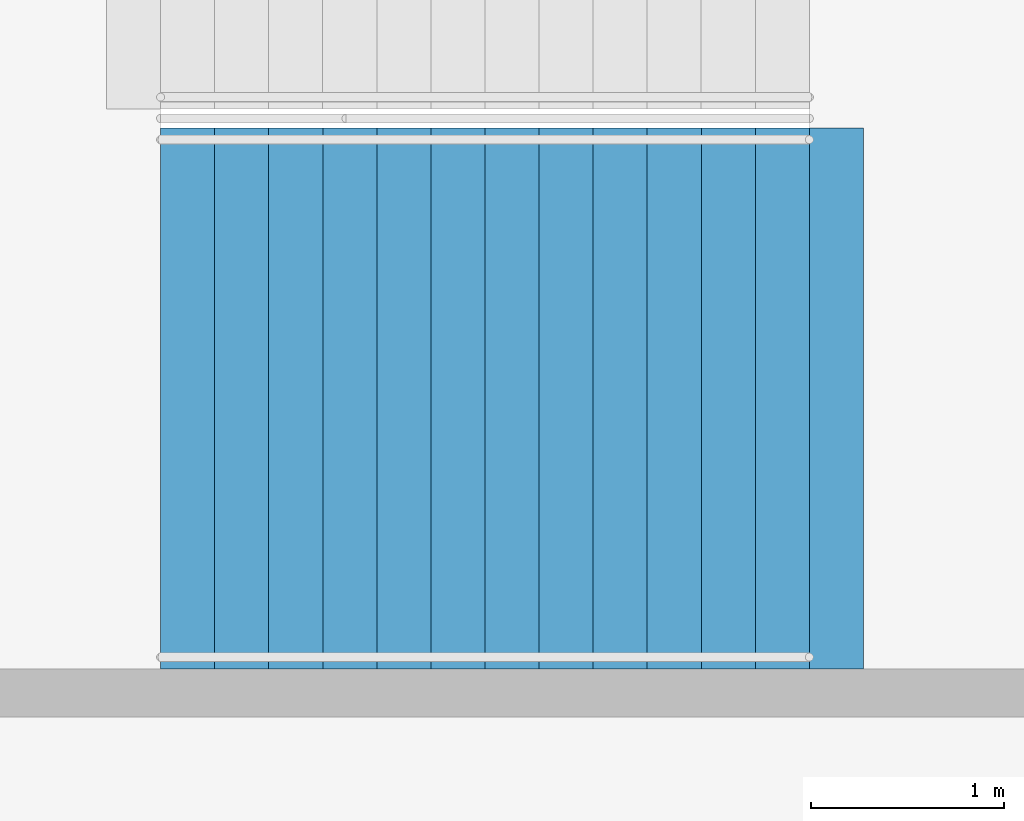
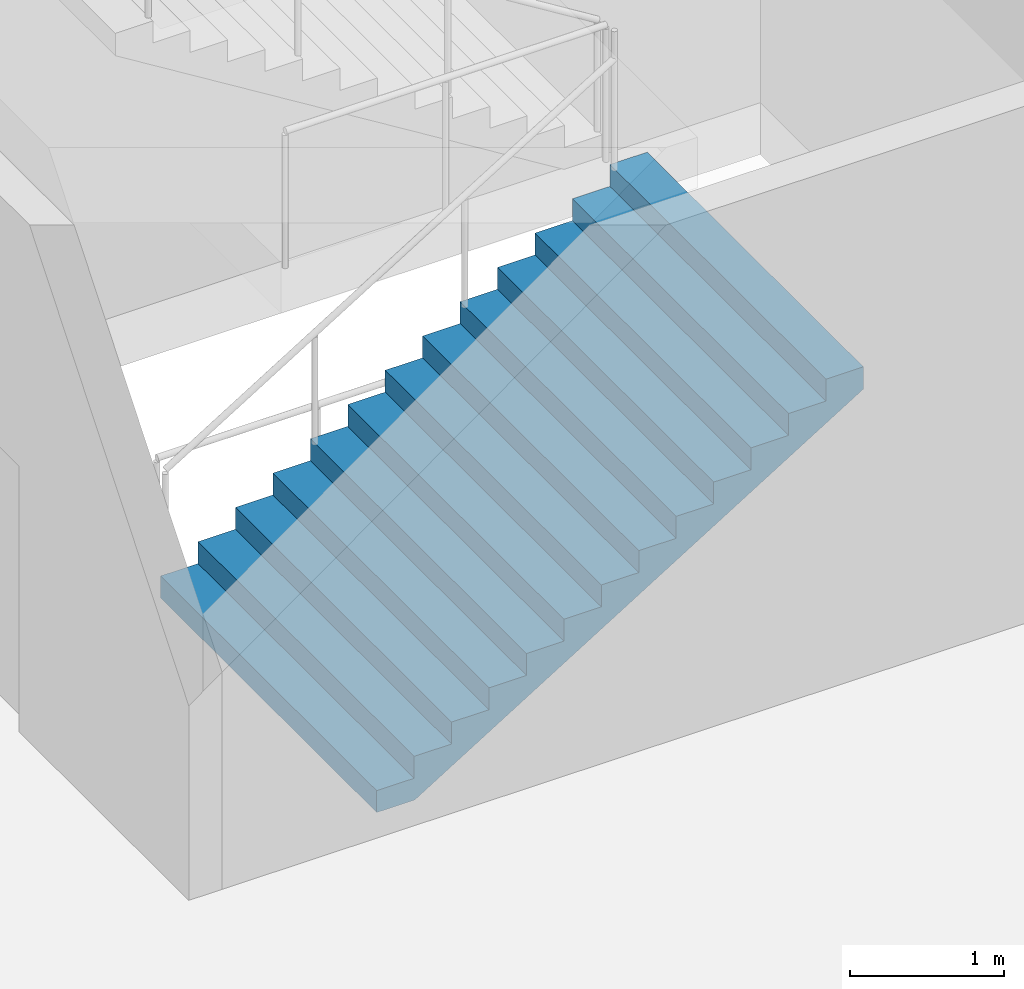
# One storey, part 142 of 199: 1 stair flight, 1 element without a shape of its own.
"""IFC4 building model written with IfcOpenShell, lengths in metres."""

from ifc_helpers import new_model, si_unit, direction, frame, origin, place, context, subcontext, project, spatial, faceted_brep, material, type_object, element, aggregate, save


model = new_model("IFC4")

# Units and contexts
model_context = context("Model", 3, precision=1e-05, world=origin(), true_north=direction((0.0, 1.0)))
body_context = subcontext(model_context, "Body", "Model", "MODEL_VIEW")
ifc_project = project(units=[si_unit("LENGTHUNIT", "METRE"), si_unit("AREAUNIT", "SQUARE_METRE"), si_unit("VOLUMEUNIT", "CUBIC_METRE"), si_unit("PLANEANGLEUNIT", "RADIAN"), si_unit("MASSUNIT", "GRAM", prefix="KILO")], contexts=[model_context])

# Site, building, storey
site_placement = place(None, origin())
site = spatial("IfcSite", under=ifc_project, at=site_placement, CompositionType="ELEMENT")
building_placement = place(site_placement, origin())
building = spatial("IfcBuilding", under=site, at=building_placement, Name="Ogive Plaza Stadium", CompositionType="ELEMENT")
storey_placement = place(building_placement, frame((0.0, 0.0, 9.0)))
storey = spatial("IfcBuildingStorey", under=building, at=storey_placement, Name="L02", CompositionType="ELEMENT", Elevation=9.0)

# Stair, stair flight
ifc_material_1 = material(Name="Concrete C40/50", Category="concrete")
stair_type = type_object("IfcStairType", Name="Exit stair", PredefinedType="STRAIGHT_RUN_STAIR", material=ifc_material_1)
stair_placement = place(storey_placement, origin())
stair = element("IfcStair", 1, at=stair_placement, inside=storey, type_object=stair_type, Name="Exit stair ST06A L02 to L03", PredefinedType="STRAIGHT_RUN_STAIR")
ifc_material_2 = material(Name="Concrete C40/50", Category="concrete")
stair_flight_type = type_object("IfcStairFlightType", Name="Exit stair flight", PredefinedType="STRAIGHT", material=ifc_material_2)
stair_flight_placement = place(storey_placement, frame((76.35009765625, -26.925048828125, 0.0), z_axis=(0.0, 0.0, 1.0), x_axis=(1.0, 0.0, 0.0)))
stair_flight = element("IfcStairFlight", 2, at=stair_flight_placement, type_object=stair_flight_type, Name="ST06A flight 1", NumberOfRisers=13, NumberOfTreads=12, PredefinedType="STRAIGHT", RiserHeight=0.173076923, TreadLength=0.28, context=body_context, shape_type="Brep", body=[
    faceted_brep([(0.28515625, -1.39990234375, 0.0), (3.639892578125, -1.39990234375, 2.07373046875), (3.639892578125, -1.39990234375, 2.25), (3.360107421875, -1.39990234375, 2.25), (3.360107421875, -1.39990234375, 2.076904296875), (3.080078125, -1.39990234375, 2.076904296875), (3.080078125, -1.39990234375, 1.90380859375), (2.800048828125, -1.39990234375, 1.90380859375), (2.800048828125, -1.39990234375, 1.730712890625), (2.52001953125, -1.39990234375, 1.730712890625), (2.52001953125, -1.39990234375, 1.5576171875), (2.239990234375, -1.39990234375, 1.5576171875), (2.239990234375, -1.39990234375, 1.384521484375), (1.9599609375, -1.39990234375, 1.384521484375), (1.9599609375, -1.39990234375, 1.21142578125), (1.679931640625, -1.39990234375, 1.21142578125), (1.679931640625, -1.39990234375, 1.03857421875), (1.39990234375, -1.39990234375, 1.03857421875), (1.39990234375, -1.39990234375, 0.865478515625), (1.1201171875, -1.39990234375, 0.865478515625), (1.1201171875, -1.39990234375, 0.6923828125), (0.840087890625, -1.39990234375, 0.6923828125), (0.840087890625, -1.39990234375, 0.519287109375), (0.56005859375, -1.39990234375, 0.519287109375), (0.56005859375, -1.39990234375, 0.34619140625), (0.280029296875, -1.39990234375, 0.34619140625), (0.280029296875, -1.39990234375, 0.173095703125), (0.0, -1.39990234375, 0.173095703125), (0.0, -1.39990234375, 0.0), (0.0, 1.39990234375, 0.0), (0.0, 1.39990234375, 0.173095703125), (0.280029296875, 1.39990234375, 0.173095703125), (0.280029296875, 1.39990234375, 0.34619140625), (0.56005859375, 1.39990234375, 0.34619140625), (0.56005859375, 1.39990234375, 0.519287109375), (0.840087890625, 1.39990234375, 0.519287109375), (0.840087890625, 1.39990234375, 0.6923828125), (1.1201171875, 1.39990234375, 0.6923828125), (1.1201171875, 1.39990234375, 0.865478515625), (1.39990234375, 1.39990234375, 0.865478515625), (1.39990234375, 1.39990234375, 1.03857421875), (1.679931640625, 1.39990234375, 1.03857421875), (1.679931640625, 1.39990234375, 1.21142578125), (1.9599609375, 1.39990234375, 1.21142578125), (1.9599609375, 1.39990234375, 1.384521484375), (2.239990234375, 1.39990234375, 1.384521484375), (2.239990234375, 1.39990234375, 1.5576171875), (2.52001953125, 1.39990234375, 1.5576171875), (2.52001953125, 1.39990234375, 1.730712890625), (2.800048828125, 1.39990234375, 1.730712890625), (2.800048828125, 1.39990234375, 1.90380859375), (3.080078125, 1.39990234375, 1.90380859375), (3.080078125, 1.39990234375, 2.076904296875), (3.360107421875, 1.39990234375, 2.076904296875), (3.360107421875, 1.39990234375, 2.25), (3.639892578125, 1.39990234375, 2.25), (3.639892578125, 1.39990234375, 2.07373046875), (0.28515625, 1.39990234375, 0.0), (0.28515625, -1.0888671875, 0.0), (3.639892578125, -1.0888671875, 2.07373046875), (0.28515625, -0.77783203125, 0.0), (3.639892578125, -0.77783203125, 2.07373046875), (0.28515625, -0.466796875, 0.0), (3.639892578125, -0.466796875, 2.07373046875), (0.28515625, -0.155517578125, 0.0), (3.639892578125, -0.155517578125, 2.07373046875), (0.28515625, 0.155517578125, 0.0), (3.639892578125, 0.155517578125, 2.07373046875), (0.28515625, 0.466796875, 0.0), (3.639892578125, 0.466796875, 2.07373046875), (0.28515625, 0.77783203125, 0.0), (3.639892578125, 0.77783203125, 2.07373046875), (0.28515625, 1.0888671875, 0.0), (3.639892578125, 1.0888671875, 2.07373046875), (3.639892578125, -1.0888671875, 2.25), (3.639892578125, -0.77783203125, 2.25), (3.639892578125, -0.466796875, 2.25), (3.639892578125, -0.155517578125, 2.25), (3.639892578125, 0.155517578125, 2.25), (3.639892578125, 0.466796875, 2.25), (3.639892578125, 0.77783203125, 2.25), (3.639892578125, 1.0888671875, 2.25), (3.360107421875, -1.0888671875, 2.25), (3.360107421875, -0.77783203125, 2.25), (3.360107421875, -0.466796875, 2.25), (3.360107421875, -0.155517578125, 2.25), (3.360107421875, 0.155517578125, 2.25), (3.360107421875, 0.466796875, 2.25), (3.360107421875, 0.77783203125, 2.25), (3.360107421875, 1.0888671875, 2.25), (3.360107421875, -1.0888671875, 2.076904296875), (3.360107421875, -0.77783203125, 2.076904296875), (3.360107421875, -0.466796875, 2.076904296875), (3.360107421875, -0.155517578125, 2.076904296875), (3.360107421875, 0.155517578125, 2.076904296875), (3.360107421875, 0.466796875, 2.076904296875), (3.360107421875, 0.77783203125, 2.076904296875), (3.360107421875, 1.0888671875, 2.076904296875), (3.080078125, -1.0888671875, 2.076904296875), (3.080078125, -0.77783203125, 2.076904296875), (3.080078125, -0.466796875, 2.076904296875), (3.080078125, -0.155517578125, 2.076904296875), (3.080078125, 0.155517578125, 2.076904296875), (3.080078125, 0.466796875, 2.076904296875), (3.080078125, 0.77783203125, 2.076904296875), (3.080078125, 1.0888671875, 2.076904296875), (3.080078125, -1.0888671875, 1.90380859375), (3.080078125, -0.77783203125, 1.90380859375), (3.080078125, -0.466796875, 1.90380859375), (3.080078125, -0.155517578125, 1.90380859375), (3.080078125, 0.155517578125, 1.90380859375), (3.080078125, 0.466796875, 1.90380859375), (3.080078125, 0.77783203125, 1.90380859375), (3.080078125, 1.0888671875, 1.90380859375), (2.800048828125, -1.0888671875, 1.90380859375), (2.800048828125, -0.77783203125, 1.90380859375), (2.800048828125, -0.466796875, 1.90380859375), (2.800048828125, -0.155517578125, 1.90380859375), (2.800048828125, 0.155517578125, 1.90380859375), (2.800048828125, 0.466796875, 1.90380859375), (2.800048828125, 0.77783203125, 1.90380859375), (2.800048828125, 1.0888671875, 1.90380859375), (2.800048828125, -1.0888671875, 1.730712890625), (2.800048828125, -0.77783203125, 1.730712890625), (2.800048828125, -0.466796875, 1.730712890625), (2.800048828125, -0.155517578125, 1.730712890625), (2.800048828125, 0.155517578125, 1.730712890625), (2.800048828125, 0.466796875, 1.730712890625), (2.800048828125, 0.77783203125, 1.730712890625), (2.800048828125, 1.0888671875, 1.730712890625), (2.52001953125, -1.0888671875, 1.730712890625), (2.52001953125, -0.77783203125, 1.730712890625), (2.52001953125, -0.466796875, 1.730712890625), (2.52001953125, -0.155517578125, 1.730712890625), (2.52001953125, 0.155517578125, 1.730712890625), (2.52001953125, 0.466796875, 1.730712890625), (2.52001953125, 0.77783203125, 1.730712890625), (2.52001953125, 1.0888671875, 1.730712890625), (2.52001953125, -1.0888671875, 1.5576171875), (2.52001953125, -0.77783203125, 1.5576171875), (2.52001953125, -0.466796875, 1.5576171875), (2.52001953125, -0.155517578125, 1.5576171875), (2.52001953125, 0.155517578125, 1.5576171875), (2.52001953125, 0.466796875, 1.5576171875), (2.52001953125, 0.77783203125, 1.5576171875), (2.52001953125, 1.0888671875, 1.5576171875), (2.239990234375, -1.0888671875, 1.5576171875), (2.239990234375, -0.77783203125, 1.5576171875), (2.239990234375, -0.466796875, 1.5576171875), (2.239990234375, -0.155517578125, 1.5576171875), (2.239990234375, 0.155517578125, 1.5576171875), (2.239990234375, 0.466796875, 1.5576171875), (2.239990234375, 0.77783203125, 1.5576171875), (2.239990234375, 1.0888671875, 1.5576171875), (2.239990234375, -1.0888671875, 1.384521484375), (2.239990234375, -0.77783203125, 1.384521484375), (2.239990234375, -0.466796875, 1.384521484375), (2.239990234375, -0.155517578125, 1.384521484375), (2.239990234375, 0.155517578125, 1.384521484375), (2.239990234375, 0.466796875, 1.384521484375), (2.239990234375, 0.77783203125, 1.384521484375), (2.239990234375, 1.0888671875, 1.384521484375), (1.9599609375, -1.0888671875, 1.384521484375), (1.9599609375, -0.77783203125, 1.384521484375), (1.9599609375, -0.466796875, 1.384521484375), (1.9599609375, -0.155517578125, 1.384521484375), (1.9599609375, 0.155517578125, 1.384521484375), (1.9599609375, 0.466796875, 1.384521484375), (1.9599609375, 0.77783203125, 1.384521484375), (1.9599609375, 1.0888671875, 1.384521484375), (1.9599609375, -1.0888671875, 1.21142578125), (1.9599609375, -0.77783203125, 1.21142578125), (1.9599609375, -0.466796875, 1.21142578125), (1.9599609375, -0.155517578125, 1.21142578125), (1.9599609375, 0.155517578125, 1.21142578125), (1.9599609375, 0.466796875, 1.21142578125), (1.9599609375, 0.77783203125, 1.21142578125), (1.9599609375, 1.0888671875, 1.21142578125), (1.679931640625, -1.0888671875, 1.21142578125), (1.679931640625, -0.77783203125, 1.21142578125), (1.679931640625, -0.466796875, 1.21142578125), (1.679931640625, -0.155517578125, 1.21142578125), (1.679931640625, 0.155517578125, 1.21142578125), (1.679931640625, 0.466796875, 1.21142578125), (1.679931640625, 0.77783203125, 1.21142578125), (1.679931640625, 1.0888671875, 1.21142578125), (1.679931640625, -1.0888671875, 1.03857421875), (1.679931640625, -0.77783203125, 1.03857421875), (1.679931640625, -0.466796875, 1.03857421875), (1.679931640625, -0.155517578125, 1.03857421875), (1.679931640625, 0.155517578125, 1.03857421875), (1.679931640625, 0.466796875, 1.03857421875), (1.679931640625, 0.77783203125, 1.03857421875), (1.679931640625, 1.0888671875, 1.03857421875), (1.39990234375, -1.0888671875, 1.03857421875), (1.39990234375, -0.77783203125, 1.03857421875), (1.39990234375, -0.466796875, 1.03857421875), (1.39990234375, -0.155517578125, 1.03857421875), (1.39990234375, 0.155517578125, 1.03857421875), (1.39990234375, 0.466796875, 1.03857421875), (1.39990234375, 0.77783203125, 1.03857421875), (1.39990234375, 1.0888671875, 1.03857421875), (1.39990234375, -1.0888671875, 0.865478515625), (1.39990234375, -0.77783203125, 0.865478515625), (1.39990234375, -0.466796875, 0.865478515625), (1.39990234375, -0.155517578125, 0.865478515625), (1.39990234375, 0.155517578125, 0.865478515625), (1.39990234375, 0.466796875, 0.865478515625), (1.39990234375, 0.77783203125, 0.865478515625), (1.39990234375, 1.0888671875, 0.865478515625), (1.1201171875, -1.0888671875, 0.865478515625), (1.1201171875, -0.77783203125, 0.865478515625), (1.1201171875, -0.466796875, 0.865478515625), (1.1201171875, -0.155517578125, 0.865478515625), (1.1201171875, 0.155517578125, 0.865478515625), (1.1201171875, 0.466796875, 0.865478515625), (1.1201171875, 0.77783203125, 0.865478515625), (1.1201171875, 1.0888671875, 0.865478515625), (1.1201171875, -1.0888671875, 0.6923828125), (1.1201171875, -0.77783203125, 0.6923828125), (1.1201171875, -0.466796875, 0.6923828125), (1.1201171875, -0.155517578125, 0.6923828125), (1.1201171875, 0.155517578125, 0.6923828125), (1.1201171875, 0.466796875, 0.6923828125), (1.1201171875, 0.77783203125, 0.6923828125), (1.1201171875, 1.0888671875, 0.6923828125), (0.840087890625, -1.0888671875, 0.6923828125), (0.840087890625, -0.77783203125, 0.6923828125), (0.840087890625, -0.466796875, 0.6923828125), (0.840087890625, -0.155517578125, 0.6923828125), (0.840087890625, 0.155517578125, 0.6923828125), (0.840087890625, 0.466796875, 0.6923828125), (0.840087890625, 0.77783203125, 0.6923828125), (0.840087890625, 1.0888671875, 0.6923828125), (0.840087890625, -1.0888671875, 0.519287109375), (0.840087890625, -0.77783203125, 0.519287109375), (0.840087890625, -0.466796875, 0.519287109375), (0.840087890625, -0.155517578125, 0.519287109375), (0.840087890625, 0.155517578125, 0.519287109375), (0.840087890625, 0.466796875, 0.519287109375), (0.840087890625, 0.77783203125, 0.519287109375), (0.840087890625, 1.0888671875, 0.519287109375), (0.56005859375, -1.0888671875, 0.519287109375), (0.56005859375, -0.77783203125, 0.519287109375), (0.56005859375, -0.466796875, 0.519287109375), (0.56005859375, -0.155517578125, 0.519287109375), (0.56005859375, 0.155517578125, 0.519287109375), (0.56005859375, 0.466796875, 0.519287109375), (0.56005859375, 0.77783203125, 0.519287109375), (0.56005859375, 1.0888671875, 0.519287109375), (0.56005859375, -1.0888671875, 0.34619140625), (0.56005859375, -0.77783203125, 0.34619140625), (0.56005859375, -0.466796875, 0.34619140625), (0.56005859375, -0.155517578125, 0.34619140625), (0.56005859375, 0.155517578125, 0.34619140625), (0.56005859375, 0.466796875, 0.34619140625), (0.56005859375, 0.77783203125, 0.34619140625), (0.56005859375, 1.0888671875, 0.34619140625), (0.280029296875, -1.0888671875, 0.34619140625), (0.280029296875, -0.77783203125, 0.34619140625), (0.280029296875, -0.466796875, 0.34619140625), (0.280029296875, -0.155517578125, 0.34619140625), (0.280029296875, 0.155517578125, 0.34619140625), (0.280029296875, 0.466796875, 0.34619140625), (0.280029296875, 0.77783203125, 0.34619140625), (0.280029296875, 1.0888671875, 0.34619140625), (0.280029296875, -1.0888671875, 0.173095703125), (0.280029296875, -0.77783203125, 0.173095703125), (0.280029296875, -0.466796875, 0.173095703125), (0.280029296875, -0.155517578125, 0.173095703125), (0.280029296875, 0.155517578125, 0.173095703125), (0.280029296875, 0.466796875, 0.173095703125), (0.280029296875, 0.77783203125, 0.173095703125), (0.280029296875, 1.0888671875, 0.173095703125), (0.0, -1.0888671875, 0.173095703125), (0.0, -0.77783203125, 0.173095703125), (0.0, -0.466796875, 0.173095703125), (0.0, -0.155517578125, 0.173095703125), (0.0, 0.155517578125, 0.173095703125), (0.0, 0.466796875, 0.173095703125), (0.0, 0.77783203125, 0.173095703125), (0.0, 1.0888671875, 0.173095703125), (0.0, -1.0888671875, 0.0), (0.0, -0.77783203125, 0.0), (0.0, -0.466796875, 0.0), (0.0, -0.155517578125, 0.0), (0.0, 0.155517578125, 0.0), (0.0, 0.466796875, 0.0), (0.0, 0.77783203125, 0.0), (0.0, 1.0888671875, 0.0)], [[[0, 1, 2, 3, 4, 5, 6, 7, 8, 9, 10, 11, 12, 13, 14, 15, 16, 17, 18, 19, 20, 21, 22, 23, 24, 25, 26, 27, 28]], [[29, 30, 31, 32, 33, 34, 35, 36, 37, 38, 39, 40, 41, 42, 43, 44, 45, 46, 47, 48, 49, 50, 51, 52, 53, 54, 55, 56, 57]], [[0, 58, 59, 1]], [[58, 60, 61, 59]], [[60, 62, 63, 61]], [[62, 64, 65, 63]], [[64, 66, 67, 65]], [[66, 68, 69, 67]], [[68, 70, 71, 69]], [[70, 72, 73, 71]], [[72, 57, 56, 73]], [[1, 59, 74, 2]], [[59, 61, 75, 74]], [[61, 63, 76, 75]], [[63, 65, 77, 76]], [[65, 67, 78, 77]], [[67, 69, 79, 78]], [[69, 71, 80, 79]], [[71, 73, 81, 80]], [[73, 56, 55, 81]], [[2, 74, 82, 3]], [[74, 75, 83, 82]], [[75, 76, 84, 83]], [[76, 77, 85, 84]], [[77, 78, 86, 85]], [[78, 79, 87, 86]], [[79, 80, 88, 87]], [[80, 81, 89, 88]], [[81, 55, 54, 89]], [[3, 82, 90, 4]], [[82, 83, 91, 90]], [[83, 84, 92, 91]], [[84, 85, 93, 92]], [[85, 86, 94, 93]], [[86, 87, 95, 94]], [[87, 88, 96, 95]], [[88, 89, 97, 96]], [[89, 54, 53, 97]], [[4, 90, 98, 5]], [[90, 91, 99, 98]], [[91, 92, 100, 99]], [[92, 93, 101, 100]], [[93, 94, 102, 101]], [[94, 95, 103, 102]], [[95, 96, 104, 103]], [[96, 97, 105, 104]], [[97, 53, 52, 105]], [[5, 98, 106, 6]], [[98, 99, 107, 106]], [[99, 100, 108, 107]], [[100, 101, 109, 108]], [[101, 102, 110, 109]], [[102, 103, 111, 110]], [[103, 104, 112, 111]], [[104, 105, 113, 112]], [[105, 52, 51, 113]], [[6, 106, 114, 7]], [[106, 107, 115, 114]], [[107, 108, 116, 115]], [[108, 109, 117, 116]], [[109, 110, 118, 117]], [[110, 111, 119, 118]], [[111, 112, 120, 119]], [[112, 113, 121, 120]], [[113, 51, 50, 121]], [[7, 114, 122, 8]], [[114, 115, 123, 122]], [[115, 116, 124, 123]], [[116, 117, 125, 124]], [[117, 118, 126, 125]], [[118, 119, 127, 126]], [[119, 120, 128, 127]], [[120, 121, 129, 128]], [[121, 50, 49, 129]], [[8, 122, 130, 9]], [[122, 123, 131, 130]], [[123, 124, 132, 131]], [[124, 125, 133, 132]], [[125, 126, 134, 133]], [[126, 127, 135, 134]], [[127, 128, 136, 135]], [[128, 129, 137, 136]], [[129, 49, 48, 137]], [[9, 130, 138, 10]], [[130, 131, 139, 138]], [[131, 132, 140, 139]], [[132, 133, 141, 140]], [[133, 134, 142, 141]], [[134, 135, 143, 142]], [[135, 136, 144, 143]], [[136, 137, 145, 144]], [[137, 48, 47, 145]], [[10, 138, 146, 11]], [[138, 139, 147, 146]], [[139, 140, 148, 147]], [[140, 141, 149, 148]], [[141, 142, 150, 149]], [[142, 143, 151, 150]], [[143, 144, 152, 151]], [[144, 145, 153, 152]], [[145, 47, 46, 153]], [[11, 146, 154, 12]], [[146, 147, 155, 154]], [[147, 148, 156, 155]], [[148, 149, 157, 156]], [[149, 150, 158, 157]], [[150, 151, 159, 158]], [[151, 152, 160, 159]], [[152, 153, 161, 160]], [[153, 46, 45, 161]], [[12, 154, 162, 13]], [[154, 155, 163, 162]], [[155, 156, 164, 163]], [[156, 157, 165, 164]], [[157, 158, 166, 165]], [[158, 159, 167, 166]], [[159, 160, 168, 167]], [[160, 161, 169, 168]], [[161, 45, 44, 169]], [[13, 162, 170, 14]], [[162, 163, 171, 170]], [[163, 164, 172, 171]], [[164, 165, 173, 172]], [[165, 166, 174, 173]], [[166, 167, 175, 174]], [[167, 168, 176, 175]], [[168, 169, 177, 176]], [[169, 44, 43, 177]], [[14, 170, 178, 15]], [[170, 171, 179, 178]], [[171, 172, 180, 179]], [[172, 173, 181, 180]], [[173, 174, 182, 181]], [[174, 175, 183, 182]], [[175, 176, 184, 183]], [[176, 177, 185, 184]], [[177, 43, 42, 185]], [[15, 178, 186, 16]], [[178, 179, 187, 186]], [[179, 180, 188, 187]], [[180, 181, 189, 188]], [[181, 182, 190, 189]], [[182, 183, 191, 190]], [[183, 184, 192, 191]], [[184, 185, 193, 192]], [[185, 42, 41, 193]], [[16, 186, 194, 17]], [[186, 187, 195, 194]], [[187, 188, 196, 195]], [[188, 189, 197, 196]], [[189, 190, 198, 197]], [[190, 191, 199, 198]], [[191, 192, 200, 199]], [[192, 193, 201, 200]], [[193, 41, 40, 201]], [[17, 194, 202, 18]], [[194, 195, 203, 202]], [[195, 196, 204, 203]], [[196, 197, 205, 204]], [[197, 198, 206, 205]], [[198, 199, 207, 206]], [[199, 200, 208, 207]], [[200, 201, 209, 208]], [[201, 40, 39, 209]], [[18, 202, 210, 19]], [[202, 203, 211, 210]], [[203, 204, 212, 211]], [[204, 205, 213, 212]], [[205, 206, 214, 213]], [[206, 207, 215, 214]], [[207, 208, 216, 215]], [[208, 209, 217, 216]], [[209, 39, 38, 217]], [[19, 210, 218, 20]], [[210, 211, 219, 218]], [[211, 212, 220, 219]], [[212, 213, 221, 220]], [[213, 214, 222, 221]], [[214, 215, 223, 222]], [[215, 216, 224, 223]], [[216, 217, 225, 224]], [[217, 38, 37, 225]], [[20, 218, 226, 21]], [[218, 219, 227, 226]], [[219, 220, 228, 227]], [[220, 221, 229, 228]], [[221, 222, 230, 229]], [[222, 223, 231, 230]], [[223, 224, 232, 231]], [[224, 225, 233, 232]], [[225, 37, 36, 233]], [[21, 226, 234, 22]], [[226, 227, 235, 234]], [[227, 228, 236, 235]], [[228, 229, 237, 236]], [[229, 230, 238, 237]], [[230, 231, 239, 238]], [[231, 232, 240, 239]], [[232, 233, 241, 240]], [[233, 36, 35, 241]], [[22, 234, 242, 23]], [[234, 235, 243, 242]], [[235, 236, 244, 243]], [[236, 237, 245, 244]], [[237, 238, 246, 245]], [[238, 239, 247, 246]], [[239, 240, 248, 247]], [[240, 241, 249, 248]], [[241, 35, 34, 249]], [[23, 242, 250, 24]], [[242, 243, 251, 250]], [[243, 244, 252, 251]], [[244, 245, 253, 252]], [[245, 246, 254, 253]], [[246, 247, 255, 254]], [[247, 248, 256, 255]], [[248, 249, 257, 256]], [[249, 34, 33, 257]], [[24, 250, 258, 25]], [[250, 251, 259, 258]], [[251, 252, 260, 259]], [[252, 253, 261, 260]], [[253, 254, 262, 261]], [[254, 255, 263, 262]], [[255, 256, 264, 263]], [[256, 257, 265, 264]], [[257, 33, 32, 265]], [[25, 258, 266, 26]], [[258, 259, 267, 266]], [[259, 260, 268, 267]], [[260, 261, 269, 268]], [[261, 262, 270, 269]], [[262, 263, 271, 270]], [[263, 264, 272, 271]], [[264, 265, 273, 272]], [[265, 32, 31, 273]], [[26, 266, 274, 27]], [[266, 267, 275, 274]], [[267, 268, 276, 275]], [[268, 269, 277, 276]], [[269, 270, 278, 277]], [[270, 271, 279, 278]], [[271, 272, 280, 279]], [[272, 273, 281, 280]], [[273, 31, 30, 281]], [[27, 274, 282, 28]], [[274, 275, 283, 282]], [[275, 276, 284, 283]], [[276, 277, 285, 284]], [[277, 278, 286, 285]], [[278, 279, 287, 286]], [[279, 280, 288, 287]], [[280, 281, 289, 288]], [[281, 30, 29, 289]], [[28, 282, 58, 0]], [[282, 283, 60, 58]], [[283, 284, 62, 60]], [[284, 285, 64, 62]], [[285, 286, 66, 64]], [[286, 287, 68, 66]], [[287, 288, 70, 68]], [[288, 289, 72, 70]], [[289, 29, 57, 72]]]),
])
aggregate(stair, [stair_flight])

save(model, "model.ifc")
